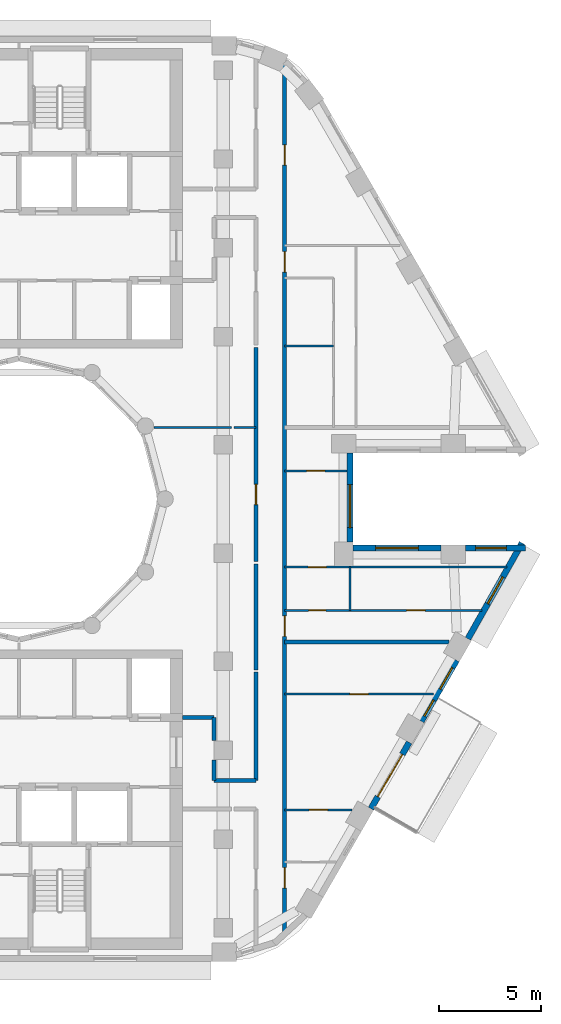
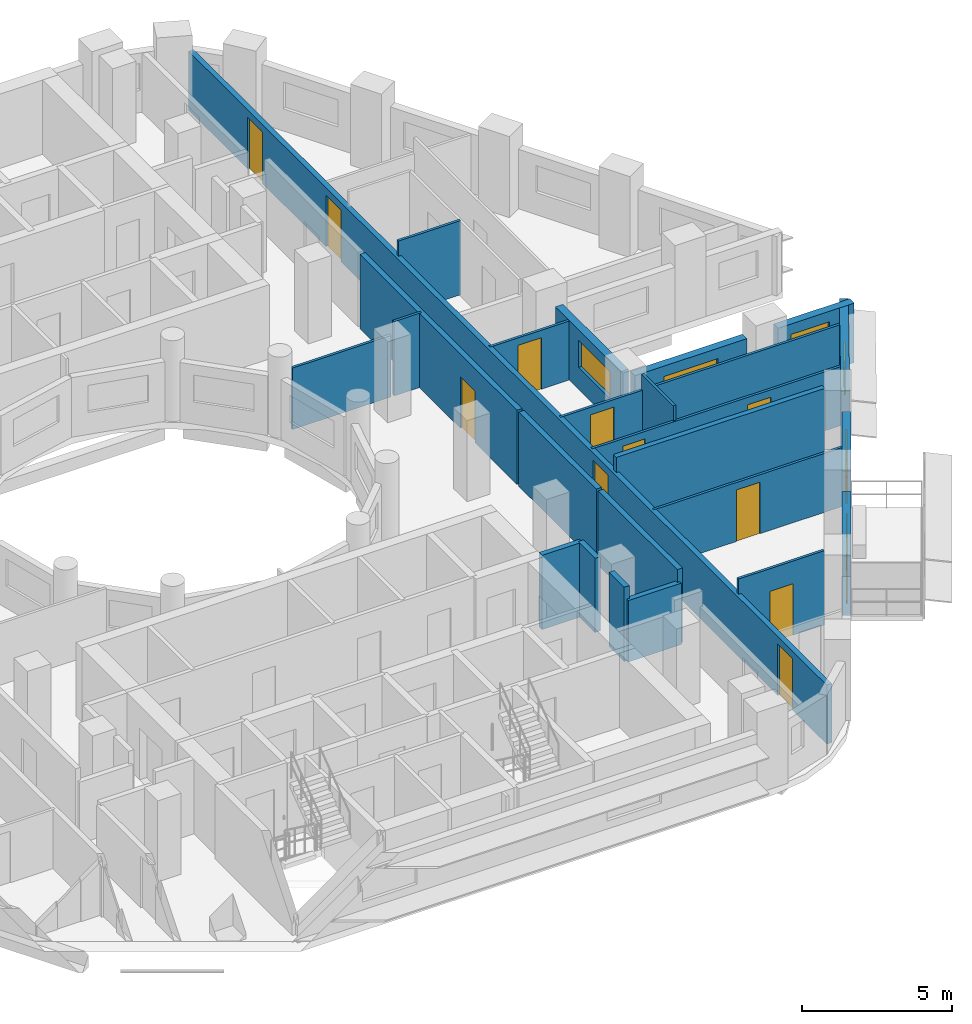
# One storey, part 6 of 16: 24 walls, 12 doors, 6 windows, 18 openings.
"""IFC4 building model written with IfcOpenShell, lengths in metres."""

from ifc_helpers import new_model, si_unit, direction, frame, frame_2d, origin, place, context, subcontext, project, spatial, rectangle, extrude, material, layer, layer_set, type_object, element, fill, save


model = new_model("IFC4")

# Units and contexts
model_context = context("Model", 3, precision=1e-05, world=origin(), true_north=direction((0.0, 1.0)))
body_context = subcontext(model_context, "Body", "Model", "MODEL_VIEW")
ifc_project = project(units=[si_unit("LENGTHUNIT", "METRE"), si_unit("AREAUNIT", "SQUARE_METRE"), si_unit("VOLUMEUNIT", "CUBIC_METRE"), si_unit("PLANEANGLEUNIT", "RADIAN"), si_unit("MASSUNIT", "GRAM", prefix="KILO")], contexts=[model_context])

# Site, building, storey
site_placement = place(None, origin())
site = spatial("IfcSite", under=ifc_project, at=site_placement, CompositionType="ELEMENT")
building_placement = place(site_placement, origin())
building = spatial("IfcBuilding", under=site, at=building_placement, Name="Nakaniwa Court", CompositionType="ELEMENT")
storey_placement = place(building_placement, frame((0.0, 0.0, 193.199951171875)))
storey = spatial("IfcBuildingStorey", under=building, at=storey_placement, Name="L50", CompositionType="ELEMENT", Elevation=193.199951171875)

# Walls
ifc_material_1 = material(Name="Acoustic double stud partition")
ifc_layer_1 = layer(ifc_material_1, 0.199951171875)
ifc_layer_set_1 = layer_set([ifc_layer_1], Name="Acoustic double stud partition")
wall_type_1 = type_object("IfcWallType", Name="Acoustic double stud partition 200", PredefinedType="PARTITIONING", material=ifc_layer_set_1)
wall_1_placement = place(storey_placement, frame((91.60009765625, 66.22509765625, 0.0), z_axis=(0.0, 0.0, 1.0), x_axis=(0.0, 1.0, 0.0)))
element("IfcWall", 1, at=wall_1_placement, inside=storey, type_object=wall_type_1, Name="Partition PW-070", PredefinedType="PARTITIONING", context=body_context, shape_type="SweptSolid", body=[
    extrude(rectangle(XDim=5.297607421875, YDim=0.199951171875, at=frame_2d((2.64892578125, 0.0))), origin(), (0.0, 0.0, 1.0), 3.025146484375),
])
wall_2_placement = place(storey_placement, frame((91.60009765625, 71.63720703125, 0.0), z_axis=(0.0, 0.0, 1.0), x_axis=(0.0, 1.0, 0.0)))
element("IfcWall", 2, at=wall_2_placement, inside=storey, type_object=wall_type_1, Name="Partition PW-071", PredefinedType="PARTITIONING", context=body_context, shape_type="SweptSolid", body=[
    extrude(rectangle(XDim=5.185546875, YDim=0.199951171875, at=frame_2d((2.5927734375, 0.0))), origin(), (0.0, 0.0, 1.0), 3.025146484375),
])

# Wall, opening, door
wall_3_placement = place(storey_placement, frame((91.60009765625, 76.937255859375, 0.0), z_axis=(0.0, 0.0, 1.0), x_axis=(0.0, 1.0, 0.0)))
wall_3 = element("IfcWall", 3, at=wall_3_placement, inside=storey, type_object=wall_type_1, Name="Partition PW-072", PredefinedType="PARTITIONING", context=body_context, shape_type="SweptSolid", body=[
    extrude(rectangle(XDim=10.485595703125, YDim=0.199951171875, at=frame_2d((5.24267578125, 0.0))), origin(), (0.0, 0.0, 1.0), 3.025146484375),
])
opening_1_placement = place(wall_3_placement, frame((2.782958984375, 0.0, 0.0)))
opening_1 = element("IfcOpeningElement", 4, at=opening_1_placement, cuts=wall_3, Name="Opening D-02-02", PredefinedType="OPENING", context=body_context, shape_type="SweptSolid", body=[
    extrude(rectangle(XDim=1.0, YDim=2.10009765625, at=frame_2d((0.5, 1.050048828125))), frame((0.0, 0.10986328125, 0.0), z_axis=(0.0, -1.0, 0.0), x_axis=(1.0, 0.0, 0.0)), (0.0, 0.0, 1.0), 0.219970703125),
])
ifc_material_2 = material(Name="Solid core timber door set, black veneer", Category="wood")
door_type_1 = type_object("IfcDoorType", Name="Internal door 1000", OperationType="NOTDEFINED", PredefinedType="DOOR", material=ifc_material_2)
door_1_placement = place(opening_1_placement, origin())
door_1 = element("IfcDoor", 5, at=door_1_placement, inside=storey, type_object=door_type_1, Name="Door D-02-02 L50-030", OperationType="SINGLE_SWING_LEFT", OverallHeight=2.10009765625, OverallWidth=1.0, PredefinedType="DOOR", context=body_context, shape_type="SweptSolid", body=[
    extrude(rectangle(XDim=1.0, YDim=2.10009765625, at=frame_2d((0.5, 1.050048828125))), frame((0.0, 0.02490234375, 0.0), z_axis=(0.0, -1.0, 0.0), x_axis=(1.0, 0.0, 0.0)), (0.0, 0.0, 1.0), 0.050048828125),
])
fill(opening_1, door_1)

# Wall, openings, doors
wall_4_placement = place(storey_placement, frame((93.0, 101.28076171875, 0.0), z_axis=(0.0, 0.0, 1.0), x_axis=(0.0, -1.0, 0.0)))
wall_4 = element("IfcWall", 6, at=wall_4_placement, inside=storey, type_object=wall_type_1, Name="Partition PW-079", PredefinedType="PARTITIONING", context=body_context, shape_type="SweptSolid", body=[
    extrude(rectangle(XDim=42.6064453125, YDim=0.199951171875, at=frame_2d((21.30322265625, 0.0))), origin(), (0.0, 0.0, 1.0), 2.405029296875),
])
opening_2_placement = place(wall_4_placement, frame((39.330078125, 0.0, 0.0)))
opening_2 = element("IfcOpeningElement", 7, at=opening_2_placement, cuts=wall_4, Name="Opening D-01-01", PredefinedType="OPENING", context=body_context, shape_type="SweptSolid", body=[
    extrude(rectangle(XDim=1.0, YDim=2.10009765625, at=frame_2d((0.5, 1.050048828125))), frame((0.0, 0.10986328125, 0.0), z_axis=(0.0, -1.0, 0.0), x_axis=(1.0, 0.0, 0.0)), (0.0, 0.0, 1.0), 0.219970703125),
])
opening_3_placement = place(wall_4_placement, frame((27.0048828125, 0.0, 0.0)))
opening_3 = element("IfcOpeningElement", 8, at=opening_3_placement, cuts=wall_4, Name="Opening D-01-02", PredefinedType="OPENING", context=body_context, shape_type="SweptSolid", body=[
    extrude(rectangle(XDim=1.0, YDim=2.10009765625, at=frame_2d((0.5, 1.050048828125))), frame((0.0, 0.10986328125, 0.0), z_axis=(0.0, -1.0, 0.0), x_axis=(1.0, 0.0, 0.0)), (0.0, 0.0, 1.0), 0.219970703125),
])
opening_4_placement = place(wall_4_placement, frame((9.16796875, 0.0, 0.0)))
opening_4 = element("IfcOpeningElement", 9, at=opening_4_placement, cuts=wall_4, Name="Opening D-01-03", PredefinedType="OPENING", context=body_context, shape_type="SweptSolid", body=[
    extrude(rectangle(XDim=1.0, YDim=2.10009765625, at=frame_2d((0.5, 1.050048828125))), frame((0.0, 0.10986328125, 0.0), z_axis=(0.0, -1.0, 0.0), x_axis=(1.0, 0.0, 0.0)), (0.0, 0.0, 1.0), 0.219970703125),
])
opening_5_placement = place(wall_4_placement, frame((3.93701171875, 0.0, 0.0)))
opening_5 = element("IfcOpeningElement", 10, at=opening_5_placement, cuts=wall_4, Name="Opening D-02-08", PredefinedType="OPENING", context=body_context, shape_type="SweptSolid", body=[
    extrude(rectangle(XDim=1.0, YDim=2.10009765625, at=frame_2d((0.5, 1.050048828125))), frame((0.0, 0.10986328125, 0.0), z_axis=(0.0, -1.0, 0.0), x_axis=(1.0, 0.0, 0.0)), (0.0, 0.0, 1.0), 0.219970703125),
])
door_type_2 = type_object("IfcDoorType", Name="Flat entrance door 1000", OperationType="NOTDEFINED", PredefinedType="DOOR", material=ifc_material_2)
door_2_placement = place(opening_2_placement, origin())
door_2 = element("IfcDoor", 11, at=door_2_placement, inside=storey, type_object=door_type_2, Name="Door D-01-01 L50-026", OperationType="SINGLE_SWING_LEFT", OverallHeight=2.10009765625, OverallWidth=1.0, PredefinedType="DOOR", context=body_context, shape_type="SweptSolid", body=[
    extrude(rectangle(XDim=1.0, YDim=2.10009765625, at=frame_2d((0.5, 1.050048828125))), frame((0.0, 0.02490234375, 0.0), z_axis=(0.0, -1.0, 0.0), x_axis=(1.0, 0.0, 0.0)), (0.0, 0.0, 1.0), 0.050048828125),
])
fill(opening_2, door_2)
door_3_placement = place(opening_3_placement, origin())
door_3 = element("IfcDoor", 12, at=door_3_placement, inside=storey, type_object=door_type_2, Name="Door D-01-02 L50-031", OperationType="SINGLE_SWING_RIGHT", OverallHeight=2.10009765625, OverallWidth=1.0, PredefinedType="DOOR", context=body_context, shape_type="SweptSolid", body=[
    extrude(rectangle(XDim=1.0, YDim=2.10009765625, at=frame_2d((0.5, 1.050048828125))), frame((0.0, 0.02490234375, 0.0), z_axis=(0.0, -1.0, 0.0), x_axis=(1.0, 0.0, 0.0)), (0.0, 0.0, 1.0), 0.050048828125),
])
fill(opening_3, door_3)
door_4_placement = place(opening_4_placement, origin())
door_4 = element("IfcDoor", 13, at=door_4_placement, inside=storey, type_object=door_type_2, Name="Door D-01-03 L50-037", OperationType="SINGLE_SWING_RIGHT", OverallHeight=2.10009765625, OverallWidth=1.0, PredefinedType="DOOR", context=body_context, shape_type="SweptSolid", body=[
    extrude(rectangle(XDim=1.0, YDim=2.10009765625, at=frame_2d((0.5, 1.050048828125))), frame((0.0, 0.02490234375, 0.0), z_axis=(0.0, -1.0, 0.0), x_axis=(1.0, 0.0, 0.0)), (0.0, 0.0, 1.0), 0.050048828125),
])
fill(opening_4, door_4)
door_5_placement = place(opening_5_placement, origin())
door_5 = element("IfcDoor", 14, at=door_5_placement, inside=storey, type_object=door_type_1, Name="Door D-02-08 L50-055", OperationType="SINGLE_SWING_RIGHT", OverallHeight=2.10009765625, OverallWidth=1.0, PredefinedType="DOOR", context=body_context, shape_type="SweptSolid", body=[
    extrude(rectangle(XDim=1.0, YDim=2.10009765625, at=frame_2d((0.5, 1.050048828125))), frame((0.0, 0.02490234375, 0.0), z_axis=(0.0, -1.0, 0.0), x_axis=(1.0, 0.0, 0.0)), (0.0, 0.0, 1.0), 0.050048828125),
])
fill(opening_5, door_5)

# Walls
wall_5_placement = place(storey_placement, frame((88.0, 69.300048828125, 0.0), z_axis=(0.0, 0.0, 1.0), x_axis=(1.0, 0.0, 0.0)))
element("IfcWall", 15, at=wall_5_placement, inside=storey, type_object=wall_type_1, Name="Partition PW-081", PredefinedType="PARTITIONING", context=body_context, shape_type="SweptSolid", body=[
    extrude(rectangle(XDim=1.550048828125, YDim=0.199951171875, at=frame_2d((0.77490234375, 0.0))), origin(), (0.0, 0.0, 1.0), 3.025146484375),
])
wall_6_placement = place(storey_placement, frame((89.550048828125, 66.22509765625, 0.0), z_axis=(0.0, 0.0, 1.0), x_axis=(0.0, 1.0, 0.0)))
element("IfcWall", 16, at=wall_6_placement, inside=storey, type_object=wall_type_1, Name="Partition PW-082", PredefinedType="PARTITIONING", context=body_context, shape_type="SweptSolid", body=[
    extrude(rectangle(XDim=1.0078125, YDim=0.199951171875, at=frame_2d((0.50390625, 0.0))), origin(), (0.0, 0.0, 1.0), 3.025146484375),
])
wall_7_placement = place(storey_placement, frame((89.550048828125, 68.167236328125, 0.0), z_axis=(0.0, 0.0, 1.0), x_axis=(0.0, 1.0, 0.0)))
element("IfcWall", 17, at=wall_7_placement, inside=storey, type_object=wall_type_1, Name="Partition PW-083", PredefinedType="PARTITIONING", context=body_context, shape_type="SweptSolid", body=[
    extrude(rectangle(XDim=1.1328125, YDim=0.199951171875, at=frame_2d((0.56640625, 0.0))), origin(), (0.0, 0.0, 1.0), 3.025146484375),
])
wall_8_placement = place(storey_placement, frame((89.550048828125, 66.22509765625, 0.0), z_axis=(0.0, 0.0, 1.0), x_axis=(1.0, 0.0, 0.0)))
element("IfcWall", 18, at=wall_8_placement, inside=storey, type_object=wall_type_1, Name="Partition PW-087", PredefinedType="PARTITIONING", context=body_context, shape_type="SweptSolid", body=[
    extrude(rectangle(XDim=2.050048828125, YDim=0.199951171875, at=frame_2d((1.02490234375, 0.0))), origin(), (0.0, 0.0, 1.0), 2.505126953125),
])
wall_9_placement = place(storey_placement, frame((93.0009765625, 73.0, 0.0), z_axis=(0.0, 0.0, 1.0), x_axis=(1.0, 0.0, 0.0)))
element("IfcWall", 19, at=wall_9_placement, inside=storey, type_object=wall_type_1, Name="Partition PW-115", PredefinedType="PARTITIONING", context=body_context, shape_type="SweptSolid", body=[
    extrude(rectangle(XDim=8.04931640625, YDim=0.199951171875, at=frame_2d((4.024658203125, 0.0))), origin(), (0.0, 0.0, 1.0), 3.025146484375),
])

# Wall, opening, door
ifc_material_3 = material(Name="Charcoal ceramic cladding")
ifc_layer_2 = layer(ifc_material_3, 0.02, Name="Ceramic cladding")
ifc_material_4 = material(Name="Ventilated air cavity")
ifc_layer_3 = layer(ifc_material_4, 0.04, ventilated=True, Name="Ventilated cavity")
ifc_material_5 = material(Name="Mineral wool insulation")
ifc_layer_4 = layer(ifc_material_5, 0.1, Name="Insulation")
ifc_material_6 = material(Name="Cement bonded sheathing board")
ifc_layer_5 = layer(ifc_material_6, 0.012, Name="Sheathing")
ifc_material_7 = material(Name="Cold-formed galvanised stud frame with mineral wool infill")
ifc_layer_6 = layer(ifc_material_7, 0.1, Name="Stud frame")
ifc_material_8 = material(Name="Fire-rated gypsum plasterboard lining")
ifc_layer_7 = layer(ifc_material_8, 0.028, Name="Lining")
ifc_layer_set_2 = layer_set([ifc_layer_2, ifc_layer_3, ifc_layer_4, ifc_layer_5, ifc_layer_6, ifc_layer_7], Name="Charcoal ceramic faced external wall system")
wall_type_2 = type_object("IfcWallType", Name="Black ceramic faced external wall 300", PredefinedType="SOLIDWALL", material=ifc_layer_set_2)
wall_10_placement = place(storey_placement, frame((97.22900390625, 64.841552734375, 0.0), z_axis=(0.0, 0.0, 1.0), x_axis=(0.500059225181, 0.86599120741, 0.0)))
wall_10 = element("IfcWall", 20, at=wall_10_placement, inside=storey, type_object=wall_type_2, Name="L50 external wall 30", PredefinedType="SOLIDWALL", context=body_context, shape_type="SweptSolid", body=[
    extrude(rectangle(XDim=3.744140625, YDim=0.300048828125, at=frame_2d((1.8720703125, 0.0))), origin(), (0.0, 0.0, 1.0), 2.425048828125),
])
opening_6_placement = place(wall_10_placement, frame((0.672119140625, 0.0, 0.0)))
opening_6 = element("IfcOpeningElement", 21, at=opening_6_placement, cuts=wall_10, Name="Opening XD13.02", PredefinedType="OPENING", context=body_context, shape_type="SweptSolid", body=[
    extrude(rectangle(XDim=2.39990234375, YDim=2.0, at=frame_2d((1.199951171875, 1.0))), frame((0.0, 0.159912109375, 0.0), z_axis=(0.0, -1.0, 0.0), x_axis=(1.0, 0.0, 0.0)), (0.0, 0.0, 1.0), 0.320068359375),
])
ifc_material_9 = material(Name="Black powder-coated aluminium frame with dark laminated glass", Category="aluminium")
door_type_3 = type_object("IfcDoorType", Name="Balcony sliding door 2400x2000", OperationType="DOUBLE_DOOR_SLIDING", PredefinedType="DOOR", material=ifc_material_9)
door_6_placement = place(opening_6_placement, origin())
door_6 = element("IfcDoor", 22, at=door_6_placement, inside=storey, type_object=door_type_3, Name="L50 balcony sliding door 02", OperationType="DOUBLE_DOOR_SLIDING", OverallHeight=2.0, OverallWidth=2.39990234375, PredefinedType="DOOR", context=body_context, shape_type="SweptSolid", body=[
    extrude(rectangle(XDim=2.39990234375, YDim=2.0, at=frame_2d((1.199951171875, 1.0))), frame((0.0, 0.02490234375, 0.0), z_axis=(0.0, -1.0, 0.0), x_axis=(1.0, 0.0, 0.0)), (0.0, 0.0, 1.0), 0.050048828125),
])
fill(opening_6, door_6)

# Wall, openings, windows
wall_11_placement = place(storey_placement, frame((99.697265625, 69.116455078125, 0.0), z_axis=(0.0, 0.0, 1.0), x_axis=(0.499955427682, 0.866051136095, 0.0)))
wall_11 = element("IfcWall", 23, at=wall_11_placement, inside=storey, type_object=wall_type_2, Name="L50 external wall 31", PredefinedType="SOLIDWALL", context=body_context, shape_type="SweptSolid", body=[
    extrude(rectangle(XDim=3.447021484375, YDim=0.300048828125, at=frame_2d((1.7236328125, 0.0))), origin(), (0.0, 0.0, 1.0), 2.425048828125),
])
opening_7_placement = place(wall_11_placement, frame((0.294677734375, 0.0, 0.89990234375)))
opening_7 = element("IfcOpeningElement", 24, at=opening_7_placement, cuts=wall_11, Name="Opening W9.30", PredefinedType="OPENING", context=body_context, shape_type="SweptSolid", body=[
    extrude(rectangle(XDim=0.89990234375, YDim=1.10009765625, at=frame_2d((0.449951171875, 0.550048828125))), frame((0.0, 0.159912109375, 0.0), z_axis=(0.0, -1.0, 0.0), x_axis=(1.0, 0.0, 0.0)), (0.0, 0.0, 1.0), 0.320068359375),
])
opening_8_placement = place(wall_11_placement, frame((1.831298828125, 0.0, 0.89990234375)))
opening_8 = element("IfcOpeningElement", 25, at=opening_8_placement, cuts=wall_11, Name="Opening W6.31", PredefinedType="OPENING", context=body_context, shape_type="SweptSolid", body=[
    extrude(rectangle(XDim=1.199951171875, YDim=1.10009765625, at=frame_2d((0.60009765625, 0.550048828125))), frame((0.0, 0.159912109375, 0.0), z_axis=(0.0, -1.0, 0.0), x_axis=(1.0, 0.0, 0.0)), (0.0, 0.0, 1.0), 0.320068359375),
])
ifc_material_10 = material(Name="Black anodised aluminium frame with dark low-E laminated double glazing", Category="aluminium")
window_type_1 = type_object("IfcWindowType", Name="Dark glass window 1200x1100 sill 900", PartitioningType="SINGLE_PANEL", PredefinedType="WINDOW", material=ifc_material_10)
window_1_placement = place(opening_8_placement, origin())
window_1 = element("IfcWindow", 26, at=window_1_placement, inside=storey, type_object=window_type_1, Name="L50 habitable room window 31-1", OverallHeight=1.10009765625, OverallWidth=1.199951171875, PartitioningType="SINGLE_PANEL", PredefinedType="WINDOW", context=body_context, shape_type="SweptSolid", body=[
    extrude(rectangle(XDim=1.199951171875, YDim=1.10009765625, at=frame_2d((0.60009765625, 0.550048828125))), frame((0.0, 0.030029296875, 0.0), z_axis=(0.0, -1.0, 0.0), x_axis=(1.0, 0.0, 0.0)), (0.0, 0.0, 1.0), 0.06005859375),
])
fill(opening_8, window_1)
window_type_2 = type_object("IfcWindowType", Name="Dark glass window 900x1100 sill 900", PartitioningType="SINGLE_PANEL", PredefinedType="WINDOW", material=ifc_material_10)
window_2_placement = place(opening_7_placement, origin())
window_2 = element("IfcWindow", 27, at=window_2_placement, inside=storey, type_object=window_type_2, Name="L50 living window 31-0", OverallHeight=1.10009765625, OverallWidth=0.89990234375, PartitioningType="SINGLE_PANEL", PredefinedType="WINDOW", context=body_context, shape_type="SweptSolid", body=[
    extrude(rectangle(XDim=0.89990234375, YDim=1.10009765625, at=frame_2d((0.449951171875, 0.550048828125))), frame((0.0, 0.030029296875, 0.0), z_axis=(0.0, -1.0, 0.0), x_axis=(1.0, 0.0, 0.0)), (0.0, 0.0, 1.0), 0.06005859375),
])
fill(opening_7, window_2)

# Wall, opening, window
wall_12_placement = place(storey_placement, frame((101.976806640625, 73.156982421875, 0.0), z_axis=(0.0, 0.0, 1.0), x_axis=(0.492033360928, 0.870576344575, 0.0)))
wall_12 = element("IfcWall", 28, at=wall_12_placement, inside=storey, type_object=wall_type_2, Name="L50 external wall 32", PredefinedType="SOLIDWALL", context=body_context, shape_type="SweptSolid", body=[
    extrude(rectangle(XDim=5.38671875, YDim=0.300048828125, at=frame_2d((2.693359375, 0.0))), origin(), (0.0, 0.0, 1.0), 2.425048828125),
])
opening_9_placement = place(wall_12_placement, frame((1.971435546875, 0.0, 0.89990234375)))
opening_9 = element("IfcOpeningElement", 29, at=opening_9_placement, cuts=wall_12, Name="Opening W5.32", PredefinedType="OPENING", context=body_context, shape_type="SweptSolid", body=[
    extrude(rectangle(XDim=1.5, YDim=1.10009765625, at=frame_2d((0.75, 0.550048828125))), frame((0.0, 0.159912109375, 0.0), z_axis=(0.0, -1.0, 0.0), x_axis=(1.0, 0.0, 0.0)), (0.0, 0.0, 1.0), 0.320068359375),
])
window_type_3 = type_object("IfcWindowType", Name="Dark glass window 1500x1100 sill 900", PartitioningType="SINGLE_PANEL", PredefinedType="WINDOW", material=ifc_material_10)
window_3_placement = place(opening_9_placement, origin())
window_3 = element("IfcWindow", 30, at=window_3_placement, inside=storey, type_object=window_type_3, Name="L50 habitable room window 32-1", OverallHeight=1.10009765625, OverallWidth=1.5, PartitioningType="SINGLE_PANEL", PredefinedType="WINDOW", context=body_context, shape_type="SweptSolid", body=[
    extrude(rectangle(XDim=1.5, YDim=1.10009765625, at=frame_2d((0.75, 0.550048828125))), frame((0.0, 0.030029296875, 0.0), z_axis=(0.0, -1.0, 0.0), x_axis=(1.0, 0.0, 0.0)), (0.0, 0.0, 1.0), 0.06005859375),
])
fill(opening_9, window_3)

wall_13_placement = place(storey_placement, frame((104.7978515625, 77.60009765625, 0.0), z_axis=(0.0, 0.0, 1.0), x_axis=(-1.0, 0.0, 0.0)))
wall_13 = element("IfcWall", 31, at=wall_13_placement, inside=storey, type_object=wall_type_2, Name="L50 external wall 33", PredefinedType="SOLIDWALL", context=body_context, shape_type="SweptSolid", body=[
    extrude(rectangle(XDim=2.937744140625, YDim=0.300048828125, at=frame_2d((1.46875, 0.0))), origin(), (0.0, 0.0, 1.0), 2.425048828125),
])
opening_10_placement = place(wall_13_placement, frame((0.944091796875, 0.0, 0.89990234375)))
opening_10 = element("IfcOpeningElement", 32, at=opening_10_placement, cuts=wall_13, Name="Opening W5.33", PredefinedType="OPENING", context=body_context, shape_type="SweptSolid", body=[
    extrude(rectangle(XDim=1.5, YDim=1.10009765625, at=frame_2d((0.75, 0.550048828125))), frame((0.0, 0.159912109375, 0.0), z_axis=(0.0, -1.0, 0.0), x_axis=(1.0, 0.0, 0.0)), (0.0, 0.0, 1.0), 0.320068359375),
])
window_4_placement = place(opening_10_placement, origin())
window_4 = element("IfcWindow", 33, at=window_4_placement, inside=storey, type_object=window_type_3, Name="L50 living window 33-0", OverallHeight=1.10009765625, OverallWidth=1.5, PartitioningType="SINGLE_PANEL", PredefinedType="WINDOW", context=body_context, shape_type="SweptSolid", body=[
    extrude(rectangle(XDim=1.5, YDim=1.10009765625, at=frame_2d((0.75, 0.550048828125))), frame((0.0, 0.030029296875, 0.0), z_axis=(0.0, -1.0, 0.0), x_axis=(1.0, 0.0, 0.0)), (0.0, 0.0, 1.0), 0.06005859375),
])
fill(opening_10, window_4)

wall_14_placement = place(storey_placement, frame((100.66796875, 77.60009765625, 0.0), z_axis=(0.0, 0.0, 1.0), x_axis=(-1.0, 0.0, 0.0)))
wall_14 = element("IfcWall", 34, at=wall_14_placement, inside=storey, type_object=wall_type_2, Name="L50 external wall 34", PredefinedType="SOLIDWALL", context=body_context, shape_type="SweptSolid", body=[
    extrude(rectangle(XDim=4.322509765625, YDim=0.300048828125, at=frame_2d((2.1611328125, 0.0))), origin(), (0.0, 0.0, 1.0), 2.425048828125),
])
opening_11_placement = place(wall_14_placement, frame((1.111083984375, 0.0, 0.89990234375)))
opening_11 = element("IfcOpeningElement", 35, at=opening_11_placement, cuts=wall_14, Name="Opening W7.34", PredefinedType="OPENING", context=body_context, shape_type="SweptSolid", body=[
    extrude(rectangle(XDim=2.10009765625, YDim=1.10009765625, at=frame_2d((1.050048828125, 0.550048828125))), frame((0.0, 0.159912109375, 0.0), z_axis=(0.0, -1.0, 0.0), x_axis=(1.0, 0.0, 0.0)), (0.0, 0.0, 1.0), 0.320068359375),
])
window_type_4 = type_object("IfcWindowType", Name="Dark glass window 2100x1100 sill 900", PartitioningType="SINGLE_PANEL", PredefinedType="WINDOW", material=ifc_material_10)
window_5_placement = place(opening_11_placement, origin())
window_5 = element("IfcWindow", 36, at=window_5_placement, inside=storey, type_object=window_type_4, Name="L50 living window 34-0", OverallHeight=1.10009765625, OverallWidth=2.10009765625, PartitioningType="SINGLE_PANEL", PredefinedType="WINDOW", context=body_context, shape_type="SweptSolid", body=[
    extrude(rectangle(XDim=2.10009765625, YDim=1.10009765625, at=frame_2d((1.050048828125, 0.550048828125))), frame((0.0, 0.030029296875, 0.0), z_axis=(0.0, -1.0, 0.0), x_axis=(1.0, 0.0, 0.0)), (0.0, 0.0, 1.0), 0.06005859375),
])
fill(opening_11, window_5)

wall_15_placement = place(storey_placement, frame((96.199462890625, 77.89599609375, 0.0), z_axis=(0.0, 0.0, 1.0), x_axis=(0.0, 1.0, 0.0)))
wall_15 = element("IfcWall", 37, at=wall_15_placement, inside=storey, type_object=wall_type_2, Name="L50 external wall 35", PredefinedType="SOLIDWALL", context=body_context, shape_type="SweptSolid", body=[
    extrude(rectangle(XDim=4.35791015625, YDim=0.300048828125, at=frame_2d((2.178955078125, 0.0))), origin(), (0.0, 0.0, 1.0), 2.425048828125),
])
opening_12_placement = place(wall_15_placement, frame((0.7041015625, 0.0, 0.89990234375)))
opening_12 = element("IfcOpeningElement", 38, at=opening_12_placement, cuts=wall_15, Name="Opening W7.35", PredefinedType="OPENING", context=body_context, shape_type="SweptSolid", body=[
    extrude(rectangle(XDim=2.10009765625, YDim=1.10009765625, at=frame_2d((1.050048828125, 0.550048828125))), frame((0.0, 0.159912109375, 0.0), z_axis=(0.0, -1.0, 0.0), x_axis=(1.0, 0.0, 0.0)), (0.0, 0.0, 1.0), 0.320068359375),
])
window_6_placement = place(opening_12_placement, origin())
window_6 = element("IfcWindow", 39, at=window_6_placement, inside=storey, type_object=window_type_4, Name="L50 living window 35-0", OverallHeight=1.10009765625, OverallWidth=2.10009765625, PartitioningType="SINGLE_PANEL", PredefinedType="WINDOW", context=body_context, shape_type="SweptSolid", body=[
    extrude(rectangle(XDim=2.10009765625, YDim=1.10009765625, at=frame_2d((1.050048828125, 0.550048828125))), frame((0.0, 0.030029296875, 0.0), z_axis=(0.0, -1.0, 0.0), x_axis=(1.0, 0.0, 0.0)), (0.0, 0.0, 1.0), 0.06005859375),
])
fill(opening_12, window_6)

# Wall, opening, door
ifc_material_11 = material(Name="Single stud plasterboard partition")
ifc_layer_8 = layer(ifc_material_11, 0.10009765625)
ifc_layer_set_3 = layer_set([ifc_layer_8], Name="Single stud plasterboard partition")
wall_type_3 = type_object("IfcWallType", Name="Single stud plasterboard partition 100", PredefinedType="PARTITIONING", material=ifc_layer_set_3)
wall_16_placement = place(storey_placement, frame((93.0009765625, 64.777099609375, 0.0), z_axis=(0.0, 0.0, 1.0), x_axis=(1.0, 0.0, 0.0)))
wall_16 = element("IfcWall", 40, at=wall_16_placement, inside=storey, type_object=wall_type_3, Name="Partition PW-113", PredefinedType="PARTITIONING", context=body_context, shape_type="SweptSolid", body=[
    extrude(rectangle(XDim=3.3017578125, YDim=0.10009765625, at=frame_2d((1.65087890625, 0.0))), origin(), (0.0, 0.0, 1.0), 3.025146484375),
])
opening_13_placement = place(wall_16_placement, frame((1.200927734375, 0.0, 0.0)))
opening_13 = element("IfcOpeningElement", 41, at=opening_13_placement, cuts=wall_16, Name="Opening D-33-01", PredefinedType="OPENING", context=body_context, shape_type="SweptSolid", body=[
    extrude(rectangle(XDim=0.89990234375, YDim=2.10009765625, at=frame_2d((0.449951171875, 1.050048828125))), frame((0.0, 0.06005859375, 0.0), z_axis=(0.0, -1.0, 0.0), x_axis=(1.0, 0.0, 0.0)), (0.0, 0.0, 1.0), 0.1201171875),
])
door_type_4 = type_object("IfcDoorType", Name="Internal door 900", OperationType="NOTDEFINED", PredefinedType="DOOR", material=ifc_material_2)
door_7_placement = place(opening_13_placement, origin())
door_7 = element("IfcDoor", 42, at=door_7_placement, inside=storey, type_object=door_type_4, Name="Door D-33-01 L50-028", OperationType="SINGLE_SWING_LEFT", OverallHeight=2.10009765625, OverallWidth=0.89990234375, PredefinedType="DOOR", context=body_context, shape_type="SweptSolid", body=[
    extrude(rectangle(XDim=0.89990234375, YDim=2.10009765625, at=frame_2d((0.449951171875, 1.050048828125))), frame((0.0, 0.02490234375, 0.0), z_axis=(0.0, -1.0, 0.0), x_axis=(1.0, 0.0, 0.0)), (0.0, 0.0, 1.0), 0.050048828125),
])
fill(opening_13, door_7)

wall_17_placement = place(storey_placement, frame((93.0009765625, 70.447998046875, 0.0), z_axis=(0.0, 0.0, 1.0), x_axis=(1.0, 0.0, 0.0)))
wall_17 = element("IfcWall", 43, at=wall_17_placement, inside=storey, type_object=wall_type_3, Name="Partition PW-114", PredefinedType="PARTITIONING", context=body_context, shape_type="SweptSolid", body=[
    extrude(rectangle(XDim=7.291748046875, YDim=0.10009765625, at=frame_2d((3.64599609375, 0.0))), origin(), (0.0, 0.0, 1.0), 2.405029296875),
])
opening_14_placement = place(wall_17_placement, frame((3.196044921875, 0.0, 0.0)))
opening_14 = element("IfcOpeningElement", 44, at=opening_14_placement, cuts=wall_17, Name="Opening D-33-02", PredefinedType="OPENING", context=body_context, shape_type="SweptSolid", body=[
    extrude(rectangle(XDim=0.89990234375, YDim=2.10009765625, at=frame_2d((0.449951171875, 1.050048828125))), frame((0.0, 0.06005859375, 0.0), z_axis=(0.0, -1.0, 0.0), x_axis=(1.0, 0.0, 0.0)), (0.0, 0.0, 1.0), 0.1201171875),
])
door_8_placement = place(opening_14_placement, origin())
door_8 = element("IfcDoor", 45, at=door_8_placement, inside=storey, type_object=door_type_4, Name="Door D-33-02 L50-029", OperationType="SINGLE_SWING_RIGHT", OverallHeight=2.10009765625, OverallWidth=0.89990234375, PredefinedType="DOOR", context=body_context, shape_type="SweptSolid", body=[
    extrude(rectangle(XDim=0.89990234375, YDim=2.10009765625, at=frame_2d((0.449951171875, 1.050048828125))), frame((0.0, 0.02490234375, 0.0), z_axis=(0.0, -1.0, 0.0), x_axis=(1.0, 0.0, 0.0)), (0.0, 0.0, 1.0), 0.050048828125),
])
fill(opening_14, door_8)

# Walls
wall_18_placement = place(storey_placement, frame((86.604736328125, 83.5, 0.0), z_axis=(0.0, 0.0, 1.0), x_axis=(1.0, 0.0, 0.0)))
element("IfcWall", 46, at=wall_18_placement, inside=storey, type_object=wall_type_3, Name="Partition PW-116", PredefinedType="PARTITIONING", context=body_context, shape_type="SweptSolid", body=[
    extrude(rectangle(XDim=3.80517578125, YDim=0.10009765625, at=frame_2d((1.902587890625, 0.0))), origin(), (0.0, 0.0, 1.0), 2.505126953125),
])
wall_19_placement = place(storey_placement, frame((90.530029296875, 83.5, 0.0), z_axis=(0.0, 0.0, 1.0), x_axis=(1.0, 0.0, 0.0)))
element("IfcWall", 47, at=wall_19_placement, inside=storey, type_object=wall_type_3, Name="Partition PW-117", PredefinedType="PARTITIONING", context=body_context, shape_type="SweptSolid", body=[
    extrude(rectangle(XDim=1.069091796875, YDim=0.10009765625, at=frame_2d((0.53466796875, 0.0))), origin(), (0.0, 0.0, 1.0), 3.025146484375),
])

# Wall, openings, doors
wall_20_placement = place(storey_placement, frame((93.0009765625, 74.550048828125, 0.0), z_axis=(0.0, 0.0, 1.0), x_axis=(1.0, 0.0, 0.0)))
wall_20 = element("IfcWall", 48, at=wall_20_placement, inside=storey, type_object=wall_type_3, Name="Partition PW-118", PredefinedType="PARTITIONING", context=body_context, shape_type="SweptSolid", body=[
    extrude(rectangle(XDim=9.659912109375, YDim=0.10009765625, at=frame_2d((4.830078125, 0.0))), origin(), (0.0, 0.0, 1.0), 2.405029296875),
])
opening_15_placement = place(wall_20_placement, frame((1.175048828125, 0.0, 0.0)))
opening_15 = element("IfcOpeningElement", 49, at=opening_15_placement, cuts=wall_20, Name="Opening D-03-02", PredefinedType="OPENING", context=body_context, shape_type="SweptSolid", body=[
    extrude(rectangle(XDim=0.85009765625, YDim=2.10009765625, at=frame_2d((0.425048828125, 1.050048828125))), frame((0.0, 0.06005859375, 0.0), z_axis=(0.0, -1.0, 0.0), x_axis=(1.0, 0.0, 0.0)), (0.0, 0.0, 1.0), 0.1201171875),
])
opening_16_placement = place(wall_20_placement, frame((5.97998046875, 0.0, 0.0)))
opening_16 = element("IfcOpeningElement", 50, at=opening_16_placement, cuts=wall_20, Name="Opening D-33-03", PredefinedType="OPENING", context=body_context, shape_type="SweptSolid", body=[
    extrude(rectangle(XDim=0.89990234375, YDim=2.10009765625, at=frame_2d((0.449951171875, 1.050048828125))), frame((0.0, 0.06005859375, 0.0), z_axis=(0.0, -1.0, 0.0), x_axis=(1.0, 0.0, 0.0)), (0.0, 0.0, 1.0), 0.1201171875),
])
ifc_material_12 = material(Name="Moisture sealed timber door set", Category="wood")
door_type_5 = type_object("IfcDoorType", Name="Bathroom door 850", OperationType="NOTDEFINED", PredefinedType="DOOR", material=ifc_material_12)
door_9_placement = place(opening_15_placement, origin())
door_9 = element("IfcDoor", 51, at=door_9_placement, inside=storey, type_object=door_type_5, Name="Door D-03-02 L50-032", OperationType="SINGLE_SWING_LEFT", OverallHeight=2.10009765625, OverallWidth=0.85009765625, PredefinedType="DOOR", context=body_context, shape_type="SweptSolid", body=[
    extrude(rectangle(XDim=0.85009765625, YDim=2.10009765625, at=frame_2d((0.425048828125, 1.050048828125))), frame((0.0, 0.02490234375, 0.0), z_axis=(0.0, -1.0, 0.0), x_axis=(1.0, 0.0, 0.0)), (0.0, 0.0, 1.0), 0.050048828125),
])
fill(opening_15, door_9)
door_10_placement = place(opening_16_placement, origin())
door_10 = element("IfcDoor", 52, at=door_10_placement, inside=storey, type_object=door_type_4, Name="Door D-33-03 L50-033", OperationType="SINGLE_SWING_RIGHT", OverallHeight=2.10009765625, OverallWidth=0.89990234375, PredefinedType="DOOR", context=body_context, shape_type="SweptSolid", body=[
    extrude(rectangle(XDim=0.89990234375, YDim=2.10009765625, at=frame_2d((0.449951171875, 1.050048828125))), frame((0.0, 0.02490234375, 0.0), z_axis=(0.0, -1.0, 0.0), x_axis=(1.0, 0.0, 0.0)), (0.0, 0.0, 1.0), 0.050048828125),
])
fill(opening_16, door_10)

# Wall
wall_21_placement = place(storey_placement, frame((96.200927734375, 74.550048828125, 0.0), z_axis=(0.0, 0.0, 1.0), x_axis=(0.0, 1.0, 0.0)))
element("IfcWall", 53, at=wall_21_placement, inside=storey, type_object=wall_type_3, Name="Partition PW-119", PredefinedType="PARTITIONING", context=body_context, shape_type="SweptSolid", body=[
    extrude(rectangle(XDim=2.11962890625, YDim=0.10009765625, at=frame_2d((1.059814453125, 0.0))), origin(), (0.0, 0.0, 1.0), 3.025146484375),
])

# Wall, opening, door
wall_22_placement = place(storey_placement, frame((93.0009765625, 76.669921875, 0.0), z_axis=(0.0, 0.0, 1.0), x_axis=(1.0, 0.0, 0.0)))
wall_22 = element("IfcWall", 54, at=wall_22_placement, inside=storey, type_object=wall_type_3, Name="Partition PW-120", PredefinedType="PARTITIONING", context=body_context, shape_type="SweptSolid", body=[
    extrude(rectangle(XDim=10.884033203125, YDim=0.10009765625, at=frame_2d((5.44189453125, 0.0))), origin(), (0.0, 0.0, 1.0), 2.405029296875),
])
opening_17_placement = place(wall_22_placement, frame((1.15087890625, 0.0, 0.0)))
opening_17 = element("IfcOpeningElement", 55, at=opening_17_placement, cuts=wall_22, Name="Opening D-33-04", PredefinedType="OPENING", context=body_context, shape_type="SweptSolid", body=[
    extrude(rectangle(XDim=0.89990234375, YDim=2.10009765625, at=frame_2d((0.449951171875, 1.050048828125))), frame((0.0, 0.06005859375, 0.0), z_axis=(0.0, -1.0, 0.0), x_axis=(1.0, 0.0, 0.0)), (0.0, 0.0, 1.0), 0.1201171875),
])
door_11_placement = place(opening_17_placement, origin())
door_11 = element("IfcDoor", 56, at=door_11_placement, inside=storey, type_object=door_type_4, Name="Door D-33-04 L50-034", OperationType="SINGLE_SWING_LEFT", OverallHeight=2.10009765625, OverallWidth=0.89990234375, PredefinedType="DOOR", context=body_context, shape_type="SweptSolid", body=[
    extrude(rectangle(XDim=0.89990234375, YDim=2.10009765625, at=frame_2d((0.449951171875, 1.050048828125))), frame((0.0, 0.02490234375, 0.0), z_axis=(0.0, -1.0, 0.0), x_axis=(1.0, 0.0, 0.0)), (0.0, 0.0, 1.0), 0.050048828125),
])
fill(opening_17, door_11)

wall_23_placement = place(storey_placement, frame((93.0009765625, 81.3798828125, 0.0), z_axis=(0.0, 0.0, 1.0), x_axis=(1.0, 0.0, 0.0)))
wall_23 = element("IfcWall", 57, at=wall_23_placement, inside=storey, type_object=wall_type_3, Name="Partition PW-121", PredefinedType="PARTITIONING", context=body_context, shape_type="SweptSolid", body=[
    extrude(rectangle(XDim=3.048583984375, YDim=0.10009765625, at=frame_2d((1.5244140625, 0.0))), origin(), (0.0, 0.0, 1.0), 2.405029296875),
])
opening_18_placement = place(wall_23_placement, frame((1.073974609375, 0.0, 0.0)))
opening_18 = element("IfcOpeningElement", 58, at=opening_18_placement, cuts=wall_23, Name="Opening D-33-05", PredefinedType="OPENING", context=body_context, shape_type="SweptSolid", body=[
    extrude(rectangle(XDim=0.89990234375, YDim=2.10009765625, at=frame_2d((0.449951171875, 1.050048828125))), frame((0.0, 0.06005859375, 0.0), z_axis=(0.0, -1.0, 0.0), x_axis=(1.0, 0.0, 0.0)), (0.0, 0.0, 1.0), 0.1201171875),
])
door_12_placement = place(opening_18_placement, origin())
door_12 = element("IfcDoor", 59, at=door_12_placement, inside=storey, type_object=door_type_4, Name="Door D-33-05 L50-035", OperationType="SINGLE_SWING_RIGHT", OverallHeight=2.10009765625, OverallWidth=0.89990234375, PredefinedType="DOOR", context=body_context, shape_type="SweptSolid", body=[
    extrude(rectangle(XDim=0.89990234375, YDim=2.10009765625, at=frame_2d((0.449951171875, 1.050048828125))), frame((0.0, 0.02490234375, 0.0), z_axis=(0.0, -1.0, 0.0), x_axis=(1.0, 0.0, 0.0)), (0.0, 0.0, 1.0), 0.050048828125),
])
fill(opening_18, door_12)

# Wall
wall_24_placement = place(storey_placement, frame((93.0009765625, 87.489013671875, 0.0), z_axis=(0.0, 0.0, 1.0), x_axis=(1.0, 0.0, 0.0)))
element("IfcWall", 60, at=wall_24_placement, inside=storey, type_object=wall_type_3, Name="Partition PW-123", PredefinedType="PARTITIONING", context=body_context, shape_type="SweptSolid", body=[
    extrude(rectangle(XDim=2.39990234375, YDim=0.10009765625, at=frame_2d((1.199951171875, 0.0))), origin(), (0.0, 0.0, 1.0), 3.025146484375),
])

save(model, "model.ifc")
